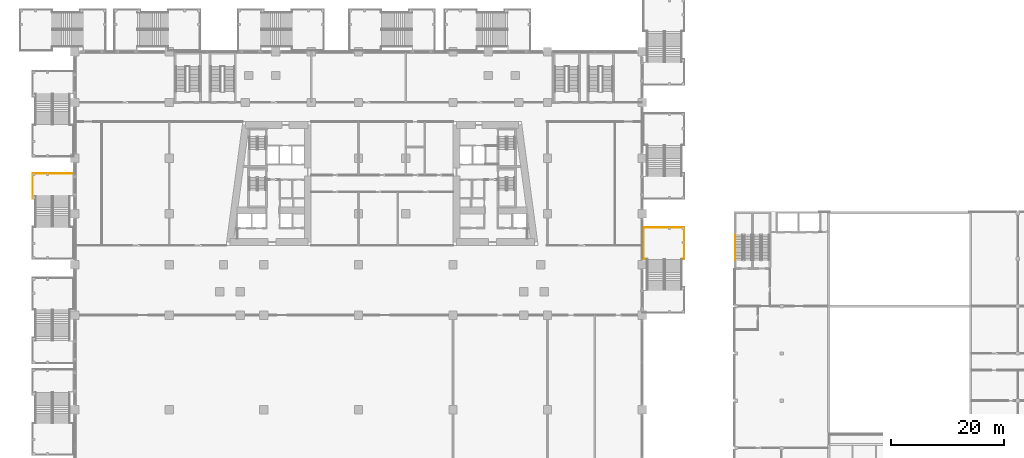
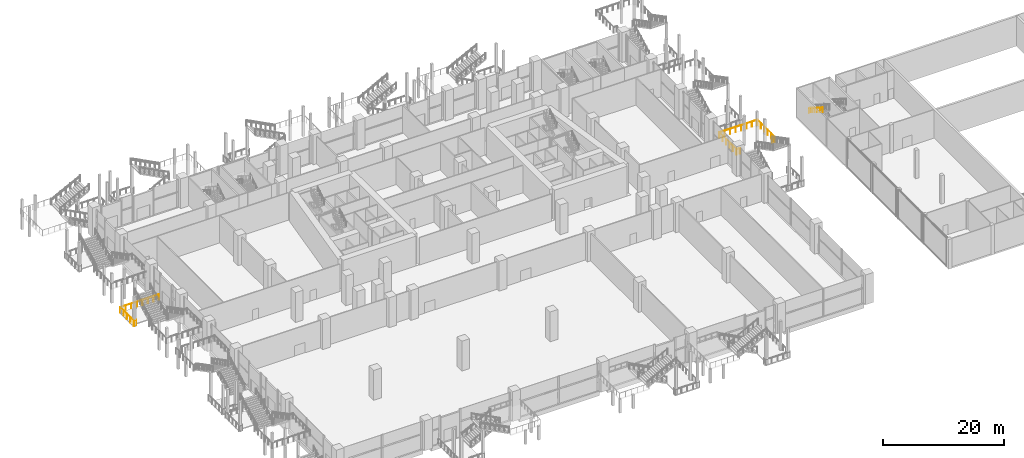
# One storey, part 39 of 49: 3 railings.
"""IFC4 building model written with IfcOpenShell, lengths in metres."""

from ifc_helpers import new_model, si_unit, direction, frame, origin, origin_2d, place, context, subcontext, project, spatial, circle, extrude, material, type_object, element, save


model = new_model("IFC4")

# Units and contexts
model_context = context("Model", 3, precision=1e-05, world=origin(), true_north=direction((0.0, 1.0)))
body_context = subcontext(model_context, "Body", "Model", "MODEL_VIEW")
ifc_project = project(units=[si_unit("LENGTHUNIT", "METRE"), si_unit("AREAUNIT", "SQUARE_METRE"), si_unit("VOLUMEUNIT", "CUBIC_METRE"), si_unit("PLANEANGLEUNIT", "RADIAN"), si_unit("MASSUNIT", "GRAM", prefix="KILO")], contexts=[model_context])

# Site, building, storey
site_placement = place(None, origin())
site = spatial("IfcSite", under=ifc_project, at=site_placement, CompositionType="ELEMENT")
building_placement = place(site_placement, origin())
building = spatial("IfcBuilding", under=site, at=building_placement, Name="Candeia Pilgrim Tower and Theatre", CompositionType="ELEMENT")
storey_placement = place(building_placement, frame((0.0, 0.0, 17.0)))
storey = spatial("IfcBuildingStorey", under=building, at=storey_placement, Name="L02", CompositionType="ELEMENT", Elevation=17.0)

# Railings
ifc_material_1 = material(Name="Steel S355", Category="steel")
railing_type_1 = type_object("IfcRailingType", Name="Handrail 900 steel", PredefinedType="HANDRAIL", material=ifc_material_1)
railing_1_placement = place(storey_placement, frame((176.175048828125, 112.2548828125, 3.176513671875)))
element("IfcRailing", 1, at=railing_1_placement, inside=storey, type_object=railing_type_1, Name="L02 TS1 stair handrail 2", PredefinedType="HANDRAIL", context=body_context, shape_type="SweptSolid", body=[
    extrude(circle(Radius=0.02392578125, at=origin_2d()), frame((0.0, 0.0, 0.8759765625), z_axis=(0.0, -0.845997938375, 0.533186166611), x_axis=(1.0, 0.0, 0.0)), (0.0, 0.0, 1.0), 5.29541015625),
    extrude(circle(Radius=0.02099609375, at=origin_2d()), origin(), (0.0, 0.0, 1.0), 0.851806640625),
    extrude(circle(Radius=0.02099609375, at=origin_2d()), frame((0.0, -0.89599609375, 0.564697265625)), (0.0, 0.0, 1.0), 0.851806640625),
    extrude(circle(Radius=0.02099609375, at=origin_2d()), frame((0.0, -1.7919921875, 1.12939453125)), (0.0, 0.0, 1.0), 0.851806640625),
    extrude(circle(Radius=0.02099609375, at=origin_2d()), frame((0.0, -2.68798828125, 1.694091796875)), (0.0, 0.0, 1.0), 0.851806640625),
    extrude(circle(Radius=0.02099609375, at=origin_2d()), frame((0.0, -3.583984375, 2.2587890625)), (0.0, 0.0, 1.0), 0.851806640625),
    extrude(circle(Radius=0.02099609375, at=origin_2d()), frame((0.0, -4.47998046875, 2.823486328125)), (0.0, 0.0, 1.0), 0.851806640625),
])
ifc_material_2 = material(Name="Stainless steel balustrade", Category="steel")
railing_type_2 = type_object("IfcRailingType", Name="RL-GUARD-1100", PredefinedType="GUARDRAIL", material=ifc_material_2)
railing_2_placement = place(storey_placement, frame((160.5, 107.989990234375, 3.0)))
element("IfcRailing", 2, at=railing_2_placement, inside=storey, type_object=railing_type_2, Name="L02 ES1 stair guard 5", PredefinedType="GUARDRAIL", context=body_context, shape_type="SweptSolid", body=[
    extrude(circle(Radius=0.02392578125, at=origin_2d()), frame((0.0, 0.0, 1.076171875), z_axis=(-1.0, 0.0, 0.0), x_axis=(0.0, -1.0, 0.0)), (0.0, 0.0, 1.0), 0.64990234375),
    extrude(circle(Radius=0.02392578125, at=origin_2d()), frame((-0.64990234375, 0.0, 1.076171875), z_axis=(0.0, 1.0, 0.0), x_axis=(-1.0, 0.0, 0.0)), (0.0, 0.0, 1.0), 5.6201171875),
    extrude(circle(Radius=0.02392578125, at=origin_2d()), frame((-0.64990234375, 5.6201171875, 1.076171875), z_axis=(1.0, 0.0, 0.0), x_axis=(0.0, 1.0, 0.0)), (0.0, 0.0, 1.0), 7.25),
    extrude(circle(Radius=0.02392578125, at=origin_2d()), frame((6.60009765625, 5.6201171875, 1.076171875), z_axis=(0.0, -1.0, 0.0), x_axis=(1.0, 0.0, 0.0)), (0.0, 0.0, 1.0), 5.6201171875),
    extrude(circle(Radius=0.02392578125, at=origin_2d()), frame((6.60009765625, 0.0, 1.076171875), z_axis=(-1.0, 0.0, 0.0), x_axis=(0.0, -1.0, 0.0)), (0.0, 0.0, 1.0), 0.4501953125),
    extrude(circle(Radius=0.02099609375, at=origin_2d()), origin(), (0.0, 0.0, 1.0), 1.052001953125),
    extrude(circle(Radius=0.02099609375, at=origin_2d()), frame((-0.64990234375, 0.0, 0.0)), (0.0, 0.0, 1.0), 1.052001953125),
    extrude(circle(Radius=0.02099609375, at=origin_2d()), frame((-0.64990234375, 1.1240234375, 0.0)), (0.0, 0.0, 1.0), 1.052001953125),
    extrude(circle(Radius=0.02099609375, at=origin_2d()), frame((-0.64990234375, 2.248046875, 0.0)), (0.0, 0.0, 1.0), 1.052001953125),
    extrude(circle(Radius=0.02099609375, at=origin_2d()), frame((-0.64990234375, 3.3720703125, 0.0)), (0.0, 0.0, 1.0), 1.052001953125),
    extrude(circle(Radius=0.02099609375, at=origin_2d()), frame((-0.64990234375, 4.49609375, 0.0)), (0.0, 0.0, 1.0), 1.052001953125),
    extrude(circle(Radius=0.02099609375, at=origin_2d()), frame((-0.64990234375, 5.6201171875, 0.0)), (0.0, 0.0, 1.0), 1.052001953125),
    extrude(circle(Radius=0.02099609375, at=origin_2d()), frame((0.3857421875, 5.6201171875, 0.0)), (0.0, 0.0, 1.0), 1.052001953125),
    extrude(circle(Radius=0.02099609375, at=origin_2d()), frame((1.421630859375, 5.6201171875, 0.0)), (0.0, 0.0, 1.0), 1.052001953125),
    extrude(circle(Radius=0.02099609375, at=origin_2d()), frame((2.457275390625, 5.6201171875, 0.0)), (0.0, 0.0, 1.0), 1.052001953125),
    extrude(circle(Radius=0.02099609375, at=origin_2d()), frame((3.492919921875, 5.6201171875, 0.0)), (0.0, 0.0, 1.0), 1.052001953125),
    extrude(circle(Radius=0.02099609375, at=origin_2d()), frame((4.528564453125, 5.6201171875, 0.0)), (0.0, 0.0, 1.0), 1.052001953125),
    extrude(circle(Radius=0.02099609375, at=origin_2d()), frame((5.564453125, 5.6201171875, 0.0)), (0.0, 0.0, 1.0), 1.052001953125),
    extrude(circle(Radius=0.02099609375, at=origin_2d()), frame((6.60009765625, 5.6201171875, 0.0)), (0.0, 0.0, 1.0), 1.052001953125),
    extrude(circle(Radius=0.02099609375, at=origin_2d()), frame((6.60009765625, 4.49609375, 0.0)), (0.0, 0.0, 1.0), 1.052001953125),
    extrude(circle(Radius=0.02099609375, at=origin_2d()), frame((6.60009765625, 3.3720703125, 0.0)), (0.0, 0.0, 1.0), 1.052001953125),
    extrude(circle(Radius=0.02099609375, at=origin_2d()), frame((6.60009765625, 2.248046875, 0.0)), (0.0, 0.0, 1.0), 1.052001953125),
    extrude(circle(Radius=0.02099609375, at=origin_2d()), frame((6.60009765625, 1.1240234375, 0.0)), (0.0, 0.0, 1.0), 1.052001953125),
    extrude(circle(Radius=0.02099609375, at=origin_2d()), frame((6.60009765625, 0.0, 0.0)), (0.0, 0.0, 1.0), 1.052001953125),
    extrude(circle(Radius=0.02099609375, at=origin_2d()), frame((6.14990234375, 0.0, 0.0)), (0.0, 0.0, 1.0), 1.052001953125),
])
railing_3_placement = place(storey_placement, frame((58.699951171875, 123.199951171875, 0.0)))
element("IfcRailing", 3, at=railing_3_placement, inside=storey, type_object=railing_type_2, Name="L02 External escape stair ES15 landing guard", PredefinedType="GUARDRAIL", context=body_context, shape_type="SweptSolid", body=[
    extrude(circle(Radius=0.02392578125, at=origin_2d()), frame((0.0, 0.0, 1.076171875), z_axis=(-1.0, 0.0, 0.0), x_axis=(0.0, -1.0, 0.0)), (0.0, 0.0, 1.0), 7.39990234375),
    extrude(circle(Radius=0.02392578125, at=origin_2d()), frame((-7.39990234375, 0.0, 1.076171875), z_axis=(0.0, -1.0, 0.0), x_axis=(1.0, 0.0, 0.0)), (0.0, 0.0, 1.0), 4.5),
    extrude(circle(Radius=0.02392578125, at=origin_2d()), frame((-7.39990234375, -4.5, 1.076171875), z_axis=(1.0, 0.0, 0.0), x_axis=(0.0, 1.0, 0.0)), (0.0, 0.0, 1.0), 0.449951171875),
    extrude(circle(Radius=0.02099609375, at=origin_2d()), origin(), (0.0, 0.0, 1.0), 1.052001953125),
    extrude(circle(Radius=0.02099609375, at=origin_2d()), frame((-1.05712890625, 0.0, 0.0)), (0.0, 0.0, 1.0), 1.052001953125),
    extrude(circle(Radius=0.02099609375, at=origin_2d()), frame((-2.1142578125, 0.0, 0.0)), (0.0, 0.0, 1.0), 1.052001953125),
    extrude(circle(Radius=0.02099609375, at=origin_2d()), frame((-3.17138671875, 0.0, 0.0)), (0.0, 0.0, 1.0), 1.052001953125),
    extrude(circle(Radius=0.02099609375, at=origin_2d()), frame((-4.228515625, 0.0, 0.0)), (0.0, 0.0, 1.0), 1.052001953125),
    extrude(circle(Radius=0.02099609375, at=origin_2d()), frame((-5.28564453125, 0.0, 0.0)), (0.0, 0.0, 1.0), 1.052001953125),
    extrude(circle(Radius=0.02099609375, at=origin_2d()), frame((-6.3427734375, 0.0, 0.0)), (0.0, 0.0, 1.0), 1.052001953125),
    extrude(circle(Radius=0.02099609375, at=origin_2d()), frame((-7.39990234375, 0.0, 0.0)), (0.0, 0.0, 1.0), 1.052001953125),
    extrude(circle(Radius=0.02099609375, at=origin_2d()), frame((-7.39990234375, -1.125, 0.0)), (0.0, 0.0, 1.0), 1.052001953125),
    extrude(circle(Radius=0.02099609375, at=origin_2d()), frame((-7.39990234375, -2.25, 0.0)), (0.0, 0.0, 1.0), 1.052001953125),
    extrude(circle(Radius=0.02099609375, at=origin_2d()), frame((-7.39990234375, -3.375, 0.0)), (0.0, 0.0, 1.0), 1.052001953125),
    extrude(circle(Radius=0.02099609375, at=origin_2d()), frame((-7.39990234375, -4.5, 0.0)), (0.0, 0.0, 1.0), 1.052001953125),
    extrude(circle(Radius=0.02099609375, at=origin_2d()), frame((-6.949951171875, -4.5, 0.0)), (0.0, 0.0, 1.0), 1.052001953125),
])

save(model, "model.ifc")
